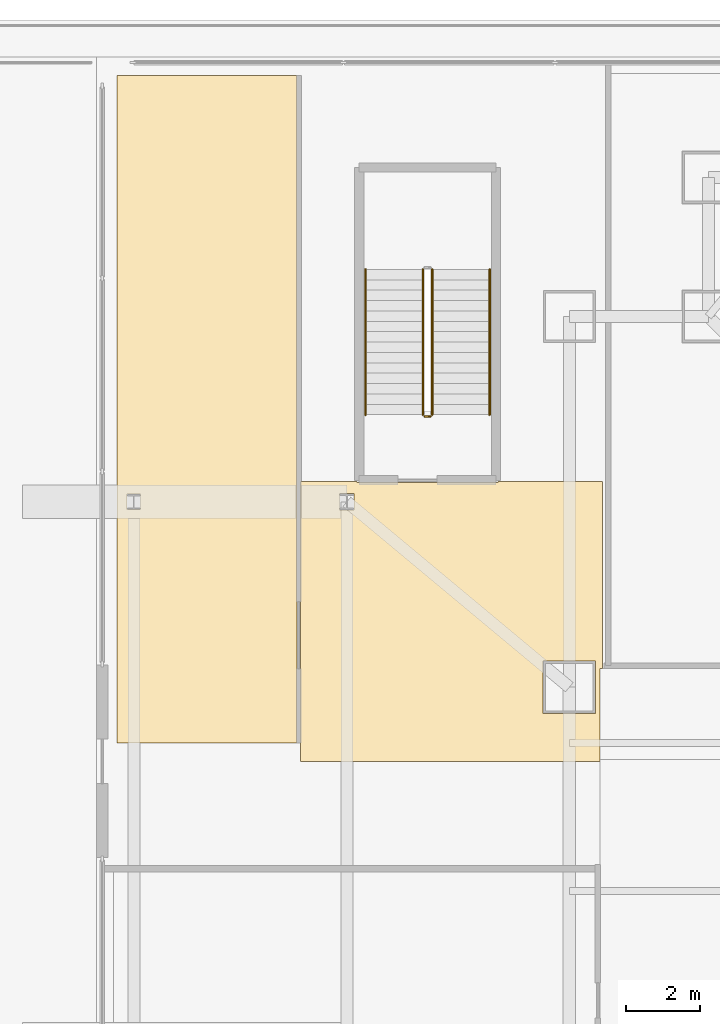
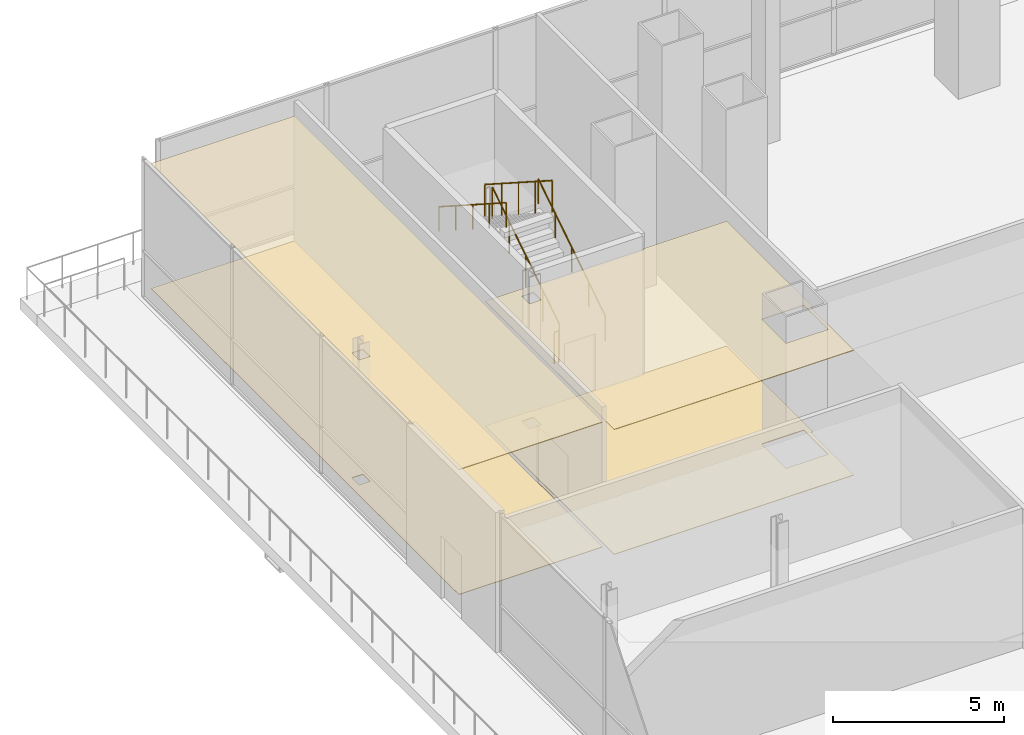
# One storey, part 29 of 35: 5 railings, 4 coverings.
"""IFC4 building model written with IfcOpenShell, lengths in metres."""

from ifc_helpers import new_model, si_unit, direction, frame, origin, origin_2d, place, context, subcontext, project, spatial, polyline, circle, outline, extrude, material, layer, layer_set, type_object, element, save


model = new_model("IFC4")

# Units and contexts
model_context = context("Model", 3, precision=1e-05, world=origin(), true_north=direction((0.0, 1.0)))
body_context = subcontext(model_context, "Body", "Model", "MODEL_VIEW")
ifc_project = project(units=[si_unit("LENGTHUNIT", "METRE"), si_unit("AREAUNIT", "SQUARE_METRE"), si_unit("VOLUMEUNIT", "CUBIC_METRE"), si_unit("PLANEANGLEUNIT", "RADIAN"), si_unit("MASSUNIT", "GRAM", prefix="KILO")], contexts=[model_context])

# Site, building, storey
site_placement = place(None, origin())
site = spatial("IfcSite", under=ifc_project, at=site_placement, CompositionType="ELEMENT")
building_placement = place(site_placement, origin())
building = spatial("IfcBuilding", under=site, at=building_placement, Name="Trevonay Congress Spire", CompositionType="ELEMENT")
storey_placement = place(building_placement, frame((0.0, 0.0, 10.800048828125)))
storey = spatial("IfcBuildingStorey", under=building, at=storey_placement, Name="L02", CompositionType="ELEMENT", Elevation=10.800048828125)

# Coverings
ifc_material_1 = material(Name="Acoustic Mineral Fibre Board", Category="gypsum")
ifc_layer_1 = layer(ifc_material_1, 0.02490234375, Name="Acoustic Mineral Fibre Board")
ifc_layer_set_1 = layer_set([ifc_layer_1], Name="Acoustic Mineral Fibre Board")
covering_type_1 = type_object("IfcCoveringType", Name="COV-CEIL-ACOUSTIC", PredefinedType="CEILING", material=ifc_layer_set_1)
covering_1_placement = place(storey_placement, frame((0.0, 0.0, 4.449951171875)))
element("IfcCovering", 1, at=covering_1_placement, inside=storey, type_object=covering_type_1, Name="L02 L02 Stair Lobby NW acoustic suspended ceiling", PredefinedType="CEILING", context=body_context, shape_type="SweptSolid", body=[
    extrude(outline(polyline([(-25.169921875, 15.02001953125), (-25.169921875, 15.050048828125), (-22.35009765625, 15.050048828125), (-22.35009765625, 10.0), (-22.419921875, 10.0), (-22.419921875, 7.550048828125), (-22.419921875, 7.5), (-30.5, 7.5), (-30.5, 15.050048828125), (-28.97998046875, 15.050048828125), (-28.97998046875, 15.02001953125), (-25.169921875, 15.02001953125)]), holes=[polyline([(-22.5400390625, 8.7900390625), (-22.5400390625, 10.2099609375), (-23.9599609375, 10.2099609375), (-23.9599609375, 8.7900390625), (-22.5400390625, 8.7900390625)]), polyline([(-29.055908203125, 14.277587890625), (-29.055908203125, 14.722412109375), (-29.444091796875, 14.722412109375), (-29.444091796875, 14.277587890625), (-29.055908203125, 14.277587890625)])]), origin(), (0.0, 0.0, 1.0), 0.02490234375),
])
covering_2_placement = place(storey_placement, frame((0.0, 0.0, 4.449951171875)))
element("IfcCovering", 2, at=covering_2_placement, inside=storey, type_object=covering_type_1, Name="L02 L02 North-West Breakout Salon acoustic suspended ceiling", PredefinedType="CEILING", context=body_context, shape_type="SweptSolid", body=[
    extrude(outline(polyline([(-35.449951171875, 26.0), (-30.60009765625, 26.0), (-30.60009765625, 8.0), (-35.449951171875, 8.0), (-35.449951171875, 26.0)]), holes=[polyline([(-34.820068359375, 14.29345703125), (-34.820068359375, 14.70654296875), (-35.179931640625, 14.70654296875), (-35.179931640625, 14.29345703125), (-34.820068359375, 14.29345703125)])]), origin(), (0.0, 0.0, 1.0), 0.02490234375),
])
ifc_material_2 = material(Name="Polished Granite Floor Tile", Category="masonry")
ifc_layer_2 = layer(ifc_material_2, 0.02001953125, Name="Polished Granite Floor Tile")
ifc_layer_set_2 = layer_set([ifc_layer_2], Name="Polished Granite Floor Tile")
covering_type_2 = type_object("IfcCoveringType", Name="COV-FLOOR-STONE", PredefinedType="FLOORING", material=ifc_layer_set_2)
covering_3_placement = place(storey_placement, origin())
element("IfcCovering", 3, at=covering_3_placement, inside=storey, type_object=covering_type_2, Name="L02 L02 Stair Lobby NW floor finish", PredefinedType="FLOORING", context=body_context, shape_type="SweptSolid", body=[
    extrude(outline(polyline([(-25.169921875, 15.02001953125), (-25.169921875, 15.050048828125), (-22.35009765625, 15.050048828125), (-22.35009765625, 10.0), (-22.419921875, 10.0), (-22.419921875, 7.550048828125), (-22.419921875, 7.5), (-30.5, 7.5), (-30.5, 15.050048828125), (-28.97998046875, 15.050048828125), (-28.97998046875, 15.02001953125), (-25.169921875, 15.02001953125)]), holes=[polyline([(-22.5400390625, 8.7900390625), (-22.5400390625, 10.2099609375), (-23.9599609375, 10.2099609375), (-23.9599609375, 8.7900390625), (-22.5400390625, 8.7900390625)]), polyline([(-29.055908203125, 14.277587890625), (-29.055908203125, 14.722412109375), (-29.444091796875, 14.722412109375), (-29.444091796875, 14.277587890625), (-29.055908203125, 14.277587890625)])]), origin(), (0.0, 0.0, 1.0), 0.02001953125),
])
ifc_material_3 = material(Name="Engineered Oak Flooring", Category="wood")
ifc_layer_3 = layer(ifc_material_3, 0.01806640625, Name="Engineered Oak Flooring")
ifc_layer_set_3 = layer_set([ifc_layer_3], Name="Engineered Oak Flooring")
covering_type_3 = type_object("IfcCoveringType", Name="COV-FLOOR-TIMBER", PredefinedType="FLOORING", material=ifc_layer_set_3)
covering_4_placement = place(storey_placement, origin())
element("IfcCovering", 4, at=covering_4_placement, inside=storey, type_object=covering_type_3, Name="L02 L02 North-West Breakout Salon floor finish", PredefinedType="FLOORING", context=body_context, shape_type="SweptSolid", body=[
    extrude(outline(polyline([(-35.449951171875, 26.0), (-30.60009765625, 26.0), (-30.60009765625, 8.0), (-35.449951171875, 8.0), (-35.449951171875, 26.0)]), holes=[polyline([(-34.820068359375, 14.29345703125), (-34.820068359375, 14.70654296875), (-35.179931640625, 14.70654296875), (-35.179931640625, 14.29345703125), (-34.820068359375, 14.29345703125)])]), origin(), (0.0, 0.0, 1.0), 0.01806640625),
])

# Railings
ifc_material_4 = material(Name="Pale Anodised Aluminium EN AW-6063-T6", Category="aluminium")
railing_type_1 = type_object("IfcRailingType", Name="RAL-STAIR-GUARD-110", PredefinedType="GUARDRAIL", material=ifc_material_4)
railing_1_placement = place(storey_placement, frame((-26.949951171875, 16.85009765625, 0.179931640625)))
element("IfcRailing", 5, at=railing_1_placement, inside=storey, type_object=railing_type_1, Name="L02 ST-5 stair guard 1", PredefinedType="GUARDRAIL", context=body_context, shape_type="SweptSolid", body=[
    extrude(circle(Radius=0.02392578125, at=origin_2d()), frame((0.0, 0.0, 1.1259765625), z_axis=(0.0, 0.841171666519, 0.540768182723), x_axis=(-1.0, 0.0, 0.0)), (0.0, 0.0, 1.0), 4.66015625),
    extrude(circle(Radius=0.02099609375, at=origin_2d()), origin(), (0.0, 0.0, 1.0), 1.101806640625),
    extrude(circle(Radius=0.02099609375, at=origin_2d()), frame((0.0, 0.97998046875, 0.6298828125)), (0.0, 0.0, 1.0), 1.101806640625),
    extrude(circle(Radius=0.02099609375, at=origin_2d()), frame((0.0, 1.9599609375, 1.260009765625)), (0.0, 0.0, 1.0), 1.101806640625),
    extrude(circle(Radius=0.02099609375, at=origin_2d()), frame((0.0, 2.93994140625, 1.89013671875)), (0.0, 0.0, 1.0), 1.101806640625),
    extrude(circle(Radius=0.02099609375, at=origin_2d()), frame((0.0, 3.919921875, 2.52001953125)), (0.0, 0.0, 1.0), 1.101806640625),
])
railing_2_placement = place(storey_placement, frame((-27.199951171875, 20.77001953125, 2.8798828125)))
element("IfcRailing", 6, at=railing_2_placement, inside=storey, type_object=railing_type_1, Name="L02 ST-5 stair guard 3", PredefinedType="GUARDRAIL", context=body_context, shape_type="SweptSolid", body=[
    extrude(circle(Radius=0.02392578125, at=origin_2d()), frame((0.0, 0.0, 1.1259765625), z_axis=(0.0, -0.841171666519, 0.540768182723), x_axis=(1.0, 0.0, 0.0)), (0.0, 0.0, 1.0), 4.66015625),
    extrude(circle(Radius=0.02099609375, at=origin_2d()), origin(), (0.0, 0.0, 1.0), 1.101806640625),
    extrude(circle(Radius=0.02099609375, at=origin_2d()), frame((0.0, -0.97998046875, 0.6298828125)), (0.0, 0.0, 1.0), 1.101806640625),
    extrude(circle(Radius=0.02099609375, at=origin_2d()), frame((0.0, -1.9599609375, 1.260009765625)), (0.0, 0.0, 1.0), 1.101806640625),
    extrude(circle(Radius=0.02099609375, at=origin_2d()), frame((0.0, -2.93994140625, 1.89013671875)), (0.0, 0.0, 1.0), 1.101806640625),
    extrude(circle(Radius=0.02099609375, at=origin_2d()), frame((0.0, -3.919921875, 2.52001953125)), (0.0, 0.0, 1.0), 1.101806640625),
])
railing_3_placement = place(storey_placement, frame((-27.0, 16.800048828125, 0.0)))
element("IfcRailing", 7, at=railing_3_placement, inside=storey, type_object=railing_type_1, Name="L02 ST-5 stair guard 4", PredefinedType="GUARDRAIL", context=body_context, shape_type="SweptSolid", body=[
    extrude(circle(Radius=0.02392578125, at=origin_2d()), frame((0.0, 0.0, 1.1259765625), z_axis=(-1.0, 0.0, 0.0), x_axis=(0.0, -1.0, 0.0)), (0.0, 0.0, 1.0), 0.14990234375),
    extrude(circle(Radius=0.02099609375, at=origin_2d()), origin(), (0.0, 0.0, 1.0), 1.101806640625),
    extrude(circle(Radius=0.02099609375, at=origin_2d()), frame((-0.14990234375, 0.0, 0.0)), (0.0, 0.0, 1.0), 1.101806640625),
])
railing_type_2 = type_object("IfcRailingType", Name="RAL-STAIR-HANDRAIL", PredefinedType="HANDRAIL", material=ifc_material_4)
railing_4_placement = place(storey_placement, frame((-25.39990234375, 16.85009765625, 0.179931640625)))
element("IfcRailing", 8, at=railing_4_placement, inside=storey, type_object=railing_type_2, Name="L02 ST-5 stair handrail 1", PredefinedType="HANDRAIL", context=body_context, shape_type="SweptSolid", body=[
    extrude(circle(Radius=0.02392578125, at=origin_2d()), frame((0.0, 0.0, 0.8759765625), z_axis=(0.0, 0.841171666519, 0.540768182723), x_axis=(-1.0, 0.0, 0.0)), (0.0, 0.0, 1.0), 4.66015625),
    extrude(circle(Radius=0.02099609375, at=origin_2d()), origin(), (0.0, 0.0, 1.0), 0.851806640625),
    extrude(circle(Radius=0.02099609375, at=origin_2d()), frame((0.0, 0.97998046875, 0.6298828125)), (0.0, 0.0, 1.0), 0.851806640625),
    extrude(circle(Radius=0.02099609375, at=origin_2d()), frame((0.0, 1.9599609375, 1.260009765625)), (0.0, 0.0, 1.0), 0.851806640625),
    extrude(circle(Radius=0.02099609375, at=origin_2d()), frame((0.0, 2.93994140625, 1.89013671875)), (0.0, 0.0, 1.0), 0.851806640625),
    extrude(circle(Radius=0.02099609375, at=origin_2d()), frame((0.0, 3.919921875, 2.52001953125)), (0.0, 0.0, 1.0), 0.851806640625),
])
railing_5_placement = place(storey_placement, frame((-28.75, 20.77001953125, 2.8798828125)))
element("IfcRailing", 9, at=railing_5_placement, inside=storey, type_object=railing_type_2, Name="L02 ST-5 stair handrail 2", PredefinedType="HANDRAIL", context=body_context, shape_type="SweptSolid", body=[
    extrude(circle(Radius=0.02392578125, at=origin_2d()), frame((0.0, 0.0, 0.8759765625), z_axis=(0.0, -0.841171666519, 0.540768182723), x_axis=(1.0, 0.0, 0.0)), (0.0, 0.0, 1.0), 4.66015625),
    extrude(circle(Radius=0.02099609375, at=origin_2d()), origin(), (0.0, 0.0, 1.0), 0.851806640625),
    extrude(circle(Radius=0.02099609375, at=origin_2d()), frame((0.0, -0.97998046875, 0.6298828125)), (0.0, 0.0, 1.0), 0.851806640625),
    extrude(circle(Radius=0.02099609375, at=origin_2d()), frame((0.0, -1.9599609375, 1.260009765625)), (0.0, 0.0, 1.0), 0.851806640625),
    extrude(circle(Radius=0.02099609375, at=origin_2d()), frame((0.0, -2.93994140625, 1.89013671875)), (0.0, 0.0, 1.0), 0.851806640625),
    extrude(circle(Radius=0.02099609375, at=origin_2d()), frame((0.0, -3.919921875, 2.52001953125)), (0.0, 0.0, 1.0), 0.851806640625),
])

save(model, "model.ifc")
